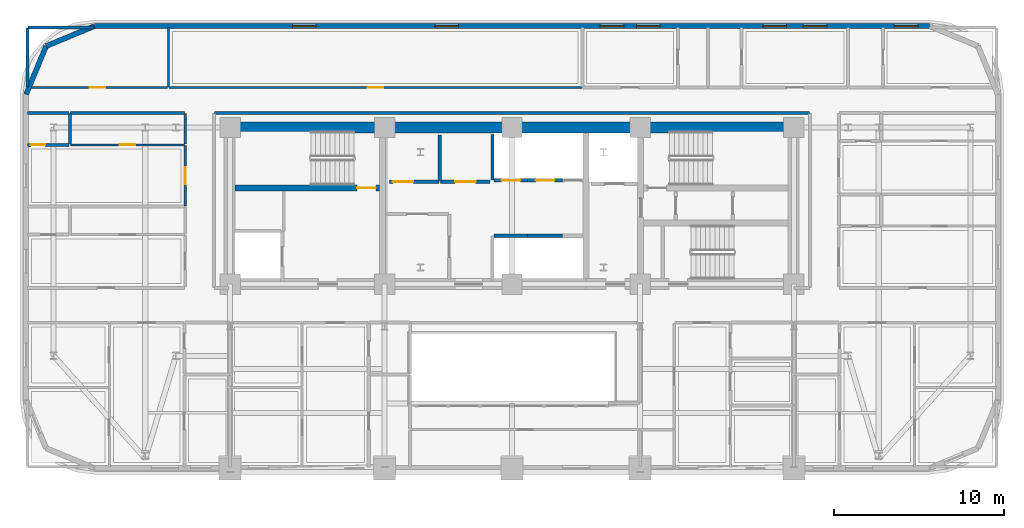
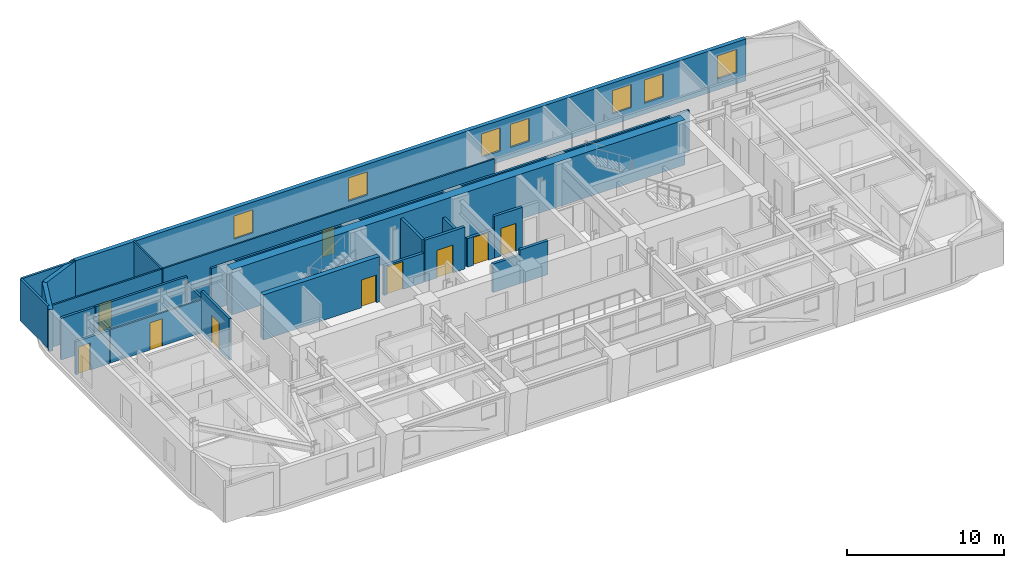
# One storey, part 10 of 16: 26 walls, 10 doors, 7 windows, 17 openings.
"""IFC4 building model written with IfcOpenShell, lengths in metres."""

from ifc_helpers import new_model, si_unit, direction, frame, frame_2d, origin, place, context, subcontext, project, spatial, rectangle, extrude, material, layer, layer_set, type_object, element, fill, save


model = new_model("IFC4")

# Units and contexts
model_context = context("Model", 3, precision=1e-05, world=origin(), true_north=direction((0.0, 1.0)))
body_context = subcontext(model_context, "Body", "Model", "MODEL_VIEW")
ifc_project = project(units=[si_unit("LENGTHUNIT", "METRE"), si_unit("AREAUNIT", "SQUARE_METRE"), si_unit("VOLUMEUNIT", "CUBIC_METRE"), si_unit("PLANEANGLEUNIT", "RADIAN"), si_unit("MASSUNIT", "GRAM", prefix="KILO")], contexts=[model_context])

# Site, building, storey
site_placement = place(None, origin())
site = spatial("IfcSite", under=ifc_project, at=site_placement, CompositionType="ELEMENT")
building_placement = place(site_placement, origin())
building = spatial("IfcBuilding", under=site, at=building_placement, Name="Zarnavel Station Tower", CompositionType="ELEMENT")
storey_placement = place(building_placement, frame((0.0, 0.0, 101.300048828125)))
storey = spatial("IfcBuildingStorey", under=building, at=storey_placement, Name="L27", CompositionType="ELEMENT", Elevation=101.300048828125)

# Wall, opening, door
ifc_material_1 = material(Name="Concrete C50/60", Category="concrete")
ifc_layer_1 = layer(ifc_material_1, 0.35009765625)
ifc_layer_set_1 = layer_set([ifc_layer_1], Name="CW_350")
wall_type_1 = type_object("IfcWallType", Name="CW_350", PredefinedType="SHEAR", material=ifc_layer_set_1)
wall_1_placement = place(storey_placement, frame((21.0048828125, 33.47998046875, 0.0), z_axis=(0.0, 0.0, 1.0), x_axis=(-1.0, 0.0, 0.0)))
wall_1 = element("IfcWall", 1, at=wall_1_placement, inside=storey, type_object=wall_type_1, Name="L27 Rear Core Shear Wall DIV-H1", PredefinedType="SHEAR", context=body_context, shape_type="SweptSolid", body=[
    extrude(rectangle(XDim=8.52978515625, YDim=0.35009765625, at=frame_2d((4.264892578125, 0.0))), origin(), (0.0, 0.0, 1.0), 3.5),
])
opening_1_placement = place(wall_1_placement, frame((0.219970703125, 0.0, 0.0)))
opening_1 = element("IfcOpeningElement", 2, at=opening_1_placement, cuts=wall_1, Name="Opening FD01", PredefinedType="OPENING", context=body_context, shape_type="SweptSolid", body=[
    extrude(rectangle(XDim=1.10009765625, YDim=2.14990234375, at=frame_2d((0.550048828125, 1.074951171875))), frame((0.0, 0.18505859375, 0.0), z_axis=(0.0, -1.0, 0.0), x_axis=(1.0, 0.0, 0.0)), (0.0, 0.0, 1.0), 0.3701171875),
])
ifc_material_2 = material(Name="Painted Galvanised Steel and Hardwood Leaf", Category="steel")
door_type_1 = type_object("IfcDoorType", Name="ID_STAIR_1100", OperationType="NOTDEFINED", PredefinedType="DOOR", material=ifc_material_2)
door_1_placement = place(opening_1_placement, origin())
door_1 = element("IfcDoor", 3, at=door_1_placement, inside=storey, type_object=door_type_1, Name="L27 Stair ST1 Lobby Fire Door", OperationType="SINGLE_SWING_LEFT", OverallHeight=2.14990234375, OverallWidth=1.10009765625, PredefinedType="DOOR", context=body_context, shape_type="SweptSolid", body=[
    extrude(rectangle(XDim=1.10009765625, YDim=2.14990234375, at=frame_2d((0.550048828125, 1.074951171875))), frame((0.0, 0.02490234375, 0.0), z_axis=(0.0, -1.0, 0.0), x_axis=(1.0, 0.0, 0.0)), (0.0, 0.0, 1.0), 0.050048828125),
])
fill(opening_1, door_1)

# Wall
ifc_material_3 = material(Name="Concrete C60/75", Category="concrete")
ifc_layer_2 = layer(ifc_material_3, 0.64990234375)
ifc_layer_set_2 = layer_set([ifc_layer_2], Name="CW_650")
wall_type_2 = type_object("IfcWallType", Name="CW_650", PredefinedType="SHEAR", material=ifc_layer_set_2)
wall_2_placement = place(storey_placement, frame((12.14990234375, 37.050048828125, 0.0), z_axis=(0.0, 0.0, 1.0), x_axis=(1.0, 0.0, 0.0)))
element("IfcWall", 4, at=wall_2_placement, inside=storey, type_object=wall_type_2, Name="L27 Rear Core Shear Wall N", PredefinedType="SHEAR", context=body_context, shape_type="SweptSolid", body=[
    extrude(rectangle(XDim=33.22998046875, YDim=0.64990234375, at=frame_2d((16.614990234375, 0.0))), origin(), (0.0, 0.0, 1.0), 3.5),
])

# Wall, openings, windows
ifc_material_4 = material(Name="Precast concrete C45/55 (Dark Basalt Finish)", Category="masonry")
ifc_layer_3 = layer(ifc_material_4, 0.300048828125)
ifc_layer_set_3 = layer_set([ifc_layer_3], Name="EW_BASALT_300")
wall_type_3 = type_object("IfcWallType", Name="EW_BASALT_300", PredefinedType="SOLIDWALL", material=ifc_layer_set_3)
wall_3_placement = place(storey_placement, frame((4.199951171875, 43.02001953125, 0.0), z_axis=(0.0, 0.0, 1.0), x_axis=(1.0, 0.0, 0.0)))
wall_3 = element("IfcWall", 5, at=wall_3_placement, inside=storey, type_object=wall_type_3, Name="L27 Exterior Basalt Masonry Frame Wall 06", PredefinedType="SOLIDWALL", context=body_context, shape_type="SweptSolid", body=[
    extrude(rectangle(XDim=49.199951171875, YDim=0.300048828125, at=frame_2d((24.60009765625, 0.0))), origin(), (0.0, 0.0, 1.0), 3.239990234375),
])
opening_2_placement = place(wall_3_placement, frame((11.65673828125, 0.0, 0.85009765625)))
opening_2 = element("IfcOpeningElement", 6, at=opening_2_placement, cuts=wall_3, Name="Opening WN01", PredefinedType="OPENING", context=body_context, shape_type="SweptSolid", body=[
    extrude(rectangle(XDim=1.39990234375, YDim=1.800048828125, at=frame_2d((0.699951171875, 0.89990234375))), frame((0.0, 0.159912109375, 0.0), z_axis=(0.0, -1.0, 0.0), x_axis=(1.0, 0.0, 0.0)), (0.0, 0.0, 1.0), 0.320068359375),
])
opening_3_placement = place(wall_3_placement, frame((20.05322265625, 0.0, 0.85009765625)))
opening_3 = element("IfcOpeningElement", 7, at=opening_3_placement, cuts=wall_3, Name="Opening WN01", PredefinedType="OPENING", context=body_context, shape_type="SweptSolid", body=[
    extrude(rectangle(XDim=1.39990234375, YDim=1.800048828125, at=frame_2d((0.699951171875, 0.89990234375))), frame((0.0, 0.159912109375, 0.0), z_axis=(0.0, -1.0, 0.0), x_axis=(1.0, 0.0, 0.0)), (0.0, 0.0, 1.0), 0.320068359375),
])
opening_4_placement = place(wall_3_placement, frame((29.7890625, 0.0, 0.85009765625)))
opening_4 = element("IfcOpeningElement", 8, at=opening_4_placement, cuts=wall_3, Name="Opening WN01", PredefinedType="OPENING", context=body_context, shape_type="SweptSolid", body=[
    extrude(rectangle(XDim=1.39990234375, YDim=1.800048828125, at=frame_2d((0.699951171875, 0.89990234375))), frame((0.0, 0.159912109375, 0.0), z_axis=(0.0, -1.0, 0.0), x_axis=(1.0, 0.0, 0.0)), (0.0, 0.0, 1.0), 0.320068359375),
])
opening_5_placement = place(wall_3_placement, frame((31.927978515625, 0.0, 0.85009765625)))
opening_5 = element("IfcOpeningElement", 9, at=opening_5_placement, cuts=wall_3, Name="Opening WN01", PredefinedType="OPENING", context=body_context, shape_type="SweptSolid", body=[
    extrude(rectangle(XDim=1.39990234375, YDim=1.800048828125, at=frame_2d((0.699951171875, 0.89990234375))), frame((0.0, 0.159912109375, 0.0), z_axis=(0.0, -1.0, 0.0), x_axis=(1.0, 0.0, 0.0)), (0.0, 0.0, 1.0), 0.320068359375),
])
opening_6_placement = place(wall_3_placement, frame((39.382080078125, 0.0, 0.85009765625)))
opening_6 = element("IfcOpeningElement", 10, at=opening_6_placement, cuts=wall_3, Name="Opening WN01", PredefinedType="OPENING", context=body_context, shape_type="SweptSolid", body=[
    extrude(rectangle(XDim=1.39990234375, YDim=1.800048828125, at=frame_2d((0.699951171875, 0.89990234375))), frame((0.0, 0.159912109375, 0.0), z_axis=(0.0, -1.0, 0.0), x_axis=(1.0, 0.0, 0.0)), (0.0, 0.0, 1.0), 0.320068359375),
])
opening_7_placement = place(wall_3_placement, frame((41.740966796875, 0.0, 0.85009765625)))
opening_7 = element("IfcOpeningElement", 11, at=opening_7_placement, cuts=wall_3, Name="Opening WN01", PredefinedType="OPENING", context=body_context, shape_type="SweptSolid", body=[
    extrude(rectangle(XDim=1.39990234375, YDim=1.800048828125, at=frame_2d((0.699951171875, 0.89990234375))), frame((0.0, 0.159912109375, 0.0), z_axis=(0.0, -1.0, 0.0), x_axis=(1.0, 0.0, 0.0)), (0.0, 0.0, 1.0), 0.320068359375),
])
opening_8_placement = place(wall_3_placement, frame((47.114990234375, 0.0, 0.85009765625)))
opening_8 = element("IfcOpeningElement", 12, at=opening_8_placement, cuts=wall_3, Name="Opening WN01", PredefinedType="OPENING", context=body_context, shape_type="SweptSolid", body=[
    extrude(rectangle(XDim=1.39990234375, YDim=1.800048828125, at=frame_2d((0.699951171875, 0.89990234375))), frame((0.0, 0.159912109375, 0.0), z_axis=(0.0, -1.0, 0.0), x_axis=(1.0, 0.0, 0.0)), (0.0, 0.0, 1.0), 0.320068359375),
])
ifc_material_5 = material(Name="Thermally Broken Black Aluminium and Low-E Dark Glass", Category="aluminium")
window_type = type_object("IfcWindowType", Name="WN_1400x1800", PartitioningType="DOUBLE_PANEL_VERTICAL", PredefinedType="WINDOW", material=ifc_material_5)
window_1_placement = place(opening_2_placement, origin())
window_1 = element("IfcWindow", 13, at=window_1_placement, inside=storey, type_object=window_type, Name="L27 Recessed Facade Window 01", OverallHeight=1.800048828125, OverallWidth=1.39990234375, PartitioningType="SINGLE_PANEL", PredefinedType="WINDOW", context=body_context, shape_type="SweptSolid", body=[
    extrude(rectangle(XDim=1.39990234375, YDim=1.800048828125, at=frame_2d((0.699951171875, 0.89990234375))), frame((0.0, 0.030029296875, 0.0), z_axis=(0.0, -1.0, 0.0), x_axis=(1.0, 0.0, 0.0)), (0.0, 0.0, 1.0), 0.06005859375),
])
fill(opening_2, window_1)
window_2_placement = place(opening_3_placement, origin())
window_2 = element("IfcWindow", 14, at=window_2_placement, inside=storey, type_object=window_type, Name="L27 Recessed Facade Window 02", OverallHeight=1.800048828125, OverallWidth=1.39990234375, PartitioningType="SINGLE_PANEL", PredefinedType="WINDOW", context=body_context, shape_type="SweptSolid", body=[
    extrude(rectangle(XDim=1.39990234375, YDim=1.800048828125, at=frame_2d((0.699951171875, 0.89990234375))), frame((0.0, 0.030029296875, 0.0), z_axis=(0.0, -1.0, 0.0), x_axis=(1.0, 0.0, 0.0)), (0.0, 0.0, 1.0), 0.06005859375),
])
fill(opening_3, window_2)
window_3_placement = place(opening_4_placement, origin())
window_3 = element("IfcWindow", 15, at=window_3_placement, inside=storey, type_object=window_type, Name="L27 Recessed Facade Window 03", OverallHeight=1.800048828125, OverallWidth=1.39990234375, PartitioningType="SINGLE_PANEL", PredefinedType="WINDOW", context=body_context, shape_type="SweptSolid", body=[
    extrude(rectangle(XDim=1.39990234375, YDim=1.800048828125, at=frame_2d((0.699951171875, 0.89990234375))), frame((0.0, 0.030029296875, 0.0), z_axis=(0.0, -1.0, 0.0), x_axis=(1.0, 0.0, 0.0)), (0.0, 0.0, 1.0), 0.06005859375),
])
fill(opening_4, window_3)
window_4_placement = place(opening_5_placement, origin())
window_4 = element("IfcWindow", 16, at=window_4_placement, inside=storey, type_object=window_type, Name="L27 Recessed Facade Window 04", OverallHeight=1.800048828125, OverallWidth=1.39990234375, PartitioningType="SINGLE_PANEL", PredefinedType="WINDOW", context=body_context, shape_type="SweptSolid", body=[
    extrude(rectangle(XDim=1.39990234375, YDim=1.800048828125, at=frame_2d((0.699951171875, 0.89990234375))), frame((0.0, 0.030029296875, 0.0), z_axis=(0.0, -1.0, 0.0), x_axis=(1.0, 0.0, 0.0)), (0.0, 0.0, 1.0), 0.06005859375),
])
fill(opening_5, window_4)
window_5_placement = place(opening_6_placement, origin())
window_5 = element("IfcWindow", 17, at=window_5_placement, inside=storey, type_object=window_type, Name="L27 Recessed Facade Window 05", OverallHeight=1.800048828125, OverallWidth=1.39990234375, PartitioningType="SINGLE_PANEL", PredefinedType="WINDOW", context=body_context, shape_type="SweptSolid", body=[
    extrude(rectangle(XDim=1.39990234375, YDim=1.800048828125, at=frame_2d((0.699951171875, 0.89990234375))), frame((0.0, 0.030029296875, 0.0), z_axis=(0.0, -1.0, 0.0), x_axis=(1.0, 0.0, 0.0)), (0.0, 0.0, 1.0), 0.06005859375),
])
fill(opening_6, window_5)
window_6_placement = place(opening_7_placement, origin())
window_6 = element("IfcWindow", 18, at=window_6_placement, inside=storey, type_object=window_type, Name="L27 Recessed Facade Window 06", OverallHeight=1.800048828125, OverallWidth=1.39990234375, PartitioningType="SINGLE_PANEL", PredefinedType="WINDOW", context=body_context, shape_type="SweptSolid", body=[
    extrude(rectangle(XDim=1.39990234375, YDim=1.800048828125, at=frame_2d((0.699951171875, 0.89990234375))), frame((0.0, 0.030029296875, 0.0), z_axis=(0.0, -1.0, 0.0), x_axis=(1.0, 0.0, 0.0)), (0.0, 0.0, 1.0), 0.06005859375),
])
fill(opening_7, window_6)
window_7_placement = place(opening_8_placement, origin())
window_7 = element("IfcWindow", 19, at=window_7_placement, inside=storey, type_object=window_type, Name="L27 Recessed Facade Window 07", OverallHeight=1.800048828125, OverallWidth=1.39990234375, PartitioningType="SINGLE_PANEL", PredefinedType="WINDOW", context=body_context, shape_type="SweptSolid", body=[
    extrude(rectangle(XDim=1.39990234375, YDim=1.800048828125, at=frame_2d((0.699951171875, 0.89990234375))), frame((0.0, 0.030029296875, 0.0), z_axis=(0.0, -1.0, 0.0), x_axis=(1.0, 0.0, 0.0)), (0.0, 0.0, 1.0), 0.06005859375),
])
fill(opening_8, window_7)

# Walls
for number, where, z_axis, x_axis, name in (
    (20, (1.357421875, 41.842529296875, 0.0), (0.0, 0.0, 1.0), (0.923870793506, 0.382704529509, 0.0), "L27 Exterior Basalt Masonry Frame Wall 07"),
    (21, (0.179931640625, 39.0, 0.0), (0.0, 0.0, 1.0), (0.382704529509, 0.923870793506, 0.0), "L27 Exterior Basalt Masonry Frame Wall 08"),
):
    element("IfcWall", number, at=place(storey_placement, frame(where, z_axis=z_axis, x_axis=x_axis)), inside=storey, type_object=wall_type_3, Name=name, PredefinedType="SOLIDWALL", context=body_context, shape_type="SweptSolid", body=[
        extrude(rectangle(XDim=3.07666015625, YDim=0.300048828125, at=frame_2d((1.538330078125, 0.0))), origin(), (0.0, 0.0, 1.0), 3.239990234375),
    ])

# Wall, opening, door
ifc_material_6 = material(Name="Gypsum Twin-Stud Acoustic Fire Partition", Category="concrete")
ifc_layer_4 = layer(ifc_material_6, 0.159912109375)
ifc_layer_set_4 = layer_set([ifc_layer_4], Name="PT_DEMISE_160")
wall_type_4 = type_object("IfcWallType", Name="PT_DEMISE_160", PredefinedType="PARTITIONING", material=ifc_layer_set_4)
wall_4_placement = place(storey_placement, frame((9.550048828125, 32.430908203125, 0.0), z_axis=(0.0, 0.0, 1.0), x_axis=(0.0, 1.0, 0.0)))
wall_4 = element("IfcWall", 22, at=wall_4_placement, inside=storey, type_object=wall_type_4, Name="L27 Partition COR-W-FNW2R", PredefinedType="PARTITIONING", context=body_context, shape_type="SweptSolid", body=[
    extrude(rectangle(XDim=3.55615234375, YDim=0.159912109375, at=frame_2d((1.778076171875, 0.0))), origin(), (0.0, 0.0, 1.0), 3.239990234375),
])
opening_9_placement = place(wall_4_placement, frame((1.278076171875, 0.0, 0.0)))
opening_9 = element("IfcOpeningElement", 23, at=opening_9_placement, cuts=wall_4, Name="Opening FD02", PredefinedType="OPENING", context=body_context, shape_type="SweptSolid", body=[
    extrude(rectangle(XDim=1.0, YDim=2.14990234375, at=frame_2d((0.5, 1.074951171875))), frame((0.0, 0.08984375, 0.0), z_axis=(0.0, -1.0, 0.0), x_axis=(1.0, 0.0, 0.0)), (0.0, 0.0, 1.0), 0.179931640625),
])
ifc_material_7 = material(Name="Painted Galvanised Steel and Hardwood Leaf", Category="steel")
door_type_2 = type_object("IfcDoorType", Name="ID_ENTRY_1000", OperationType="NOTDEFINED", PredefinedType="DOOR", material=ifc_material_7)
door_2_placement = place(opening_9_placement, origin())
door_2 = element("IfcDoor", 24, at=door_2_placement, inside=storey, type_object=door_type_2, Name="L27 Door COR-W-FNW2R", OperationType="SINGLE_SWING_RIGHT", OverallHeight=2.14990234375, OverallWidth=1.0, PredefinedType="DOOR", context=body_context, shape_type="SweptSolid", body=[
    extrude(rectangle(XDim=1.0, YDim=2.14990234375, at=frame_2d((0.5, 1.074951171875))), frame((0.0, 0.02490234375, 0.0), z_axis=(0.0, -1.0, 0.0), x_axis=(1.0, 0.0, 0.0)), (0.0, 0.0, 1.0), 0.050048828125),
])
fill(opening_9, door_2)

# Walls
wall_5_placement = place(storey_placement, frame((9.550048828125, 36.06689453125, 0.0), z_axis=(0.0, 0.0, 1.0), x_axis=(0.0, 1.0, 0.0)))
element("IfcWall", 25, at=wall_5_placement, inside=storey, type_object=wall_type_4, Name="L27 Partition COR-W-FNW2S", PredefinedType="PARTITIONING", context=body_context, shape_type="SweptSolid", body=[
    extrude(rectangle(XDim=1.793212890625, YDim=0.159912109375, at=frame_2d((0.896484375, 0.0))), origin(), (0.0, 0.0, 1.0), 2.719970703125),
])
wall_6_placement = place(storey_placement, frame((2.800048828125, 37.89990234375, 0.0), z_axis=(0.0, 0.0, 1.0), x_axis=(1.0, 0.0, 0.0)))
element("IfcWall", 26, at=wall_6_placement, inside=storey, type_object=wall_type_4, Name="L27 Partition COR-N-FNW2S", PredefinedType="PARTITIONING", context=body_context, shape_type="SweptSolid", body=[
    extrude(rectangle(XDim=6.7099609375, YDim=0.159912109375, at=frame_2d((3.35498046875, 0.0))), origin(), (0.0, 0.0, 1.0), 3.239990234375),
])
wall_7_placement = place(storey_placement, frame((11.280029296875, 37.89990234375, 0.0), z_axis=(0.0, 0.0, 1.0), x_axis=(1.0, 0.0, 0.0)))
element("IfcWall", 27, at=wall_7_placement, inside=storey, type_object=wall_type_4, Name="L27 Enclosure Wall COR-N", PredefinedType="PARTITIONING", context=body_context, shape_type="SweptSolid", body=[
    extrude(rectangle(XDim=35.0400390625, YDim=0.159912109375, at=frame_2d((17.52001953125, 0.0))), origin(), (0.0, 0.0, 1.0), 3.239990234375),
])
wall_8_placement = place(storey_placement, frame((0.2900390625, 42.93994140625, 0.0), z_axis=(0.0, 0.0, 1.0), x_axis=(1.0, 0.0, 0.0)))
element("IfcWall", 28, at=wall_8_placement, inside=storey, type_object=wall_type_4, Name="L27 Enclosure Wall HSKP", PredefinedType="PARTITIONING", context=body_context, shape_type="SweptSolid", body=[
    extrude(rectangle(XDim=3.8798828125, YDim=0.159912109375, at=frame_2d((1.93994140625, 0.0))), origin(), (0.0, 0.0, 1.0), 3.239990234375),
])
wall_9_placement = place(storey_placement, frame((0.260009765625, 39.429931640625, 0.0), z_axis=(0.0, 0.0, 1.0), x_axis=(0.0, 1.0, 0.0)))
element("IfcWall", 29, at=wall_9_placement, inside=storey, type_object=wall_type_4, Name="L27 Enclosure Wall HSKP", PredefinedType="PARTITIONING", context=body_context, shape_type="SweptSolid", body=[
    extrude(rectangle(XDim=3.47998046875, YDim=0.159912109375, at=frame_2d((1.739990234375, 0.0))), origin(), (0.0, 0.0, 1.0), 3.239990234375),
])

# Wall, opening, door
ifc_material_8 = material(Name="Gypsum Metal-Stud Interior Partition", Category="concrete")
ifc_layer_5 = layer(ifc_material_8, 0.1201171875)
ifc_layer_set_5 = layer_set([ifc_layer_5], Name="PT_ROOM_120")
wall_type_5 = type_object("IfcWallType", Name="PT_ROOM_120", PredefinedType="PARTITIONING", material=ifc_layer_set_5)
wall_10_placement = place(storey_placement, frame((0.260009765625, 39.39990234375, 0.0), z_axis=(0.0, 0.0, 1.0), x_axis=(1.0, 0.0, 0.0)))
wall_10 = element("IfcWall", 30, at=wall_10_placement, inside=storey, type_object=wall_type_5, Name="L27 Partition COR-N-HSKP", PredefinedType="PARTITIONING", context=body_context, shape_type="SweptSolid", body=[
    extrude(rectangle(XDim=8.260009765625, YDim=0.1201171875, at=frame_2d((4.1298828125, 0.0))), origin(), (0.0, 0.0, 1.0), 3.239990234375),
])
opening_10_placement = place(wall_10_placement, frame((3.679931640625, 0.0, 0.0)))
opening_10 = element("IfcOpeningElement", 31, at=opening_10_placement, cuts=wall_10, Name="Opening ID01", PredefinedType="OPENING", context=body_context, shape_type="SweptSolid", body=[
    extrude(rectangle(XDim=0.89990234375, YDim=2.10009765625, at=frame_2d((0.449951171875, 1.050048828125))), frame((0.0, 0.070068359375, 0.0), z_axis=(0.0, -1.0, 0.0), x_axis=(1.0, 0.0, 0.0)), (0.0, 0.0, 1.0), 0.14013671875),
])
ifc_material_9 = material(Name="Painted Galvanised Steel and Hardwood Leaf", Category="steel")
door_type_3 = type_object("IfcDoorType", Name="ID_ROOM_900", OperationType="NOTDEFINED", PredefinedType="DOOR", material=ifc_material_9)
door_3_placement = place(opening_10_placement, origin())
door_3 = element("IfcDoor", 32, at=door_3_placement, inside=storey, type_object=door_type_3, Name="L27 Door COR-N-HSKP", OperationType="SINGLE_SWING_LEFT", OverallHeight=2.10009765625, OverallWidth=0.89990234375, PredefinedType="DOOR", context=body_context, shape_type="SweptSolid", body=[
    extrude(rectangle(XDim=0.89990234375, YDim=2.10009765625, at=frame_2d((0.449951171875, 1.050048828125))), frame((0.0, 0.02490234375, 0.0), z_axis=(0.0, -1.0, 0.0), x_axis=(1.0, 0.0, 0.0)), (0.0, 0.0, 1.0), 0.050048828125),
])
fill(opening_10, door_3)

wall_11_placement = place(storey_placement, frame((8.60009765625, 39.39990234375, 0.0), z_axis=(0.0, 0.0, 1.0), x_axis=(1.0, 0.0, 0.0)))
wall_11 = element("IfcWall", 33, at=wall_11_placement, inside=storey, type_object=wall_type_5, Name="L27 Partition COR-N-NCLB", PredefinedType="PARTITIONING", context=body_context, shape_type="SweptSolid", body=[
    extrude(rectangle(XDim=24.309814453125, YDim=0.1201171875, at=frame_2d((12.15478515625, 0.0))), origin(), (0.0, 0.0, 1.0), 3.239990234375),
])
opening_11_placement = place(wall_11_placement, frame((11.705078125, 0.0, 0.0)))
opening_11 = element("IfcOpeningElement", 34, at=opening_11_placement, cuts=wall_11, Name="Opening ID01", PredefinedType="OPENING", context=body_context, shape_type="SweptSolid", body=[
    extrude(rectangle(XDim=0.89990234375, YDim=2.10009765625, at=frame_2d((0.449951171875, 1.050048828125))), frame((0.0, 0.070068359375, 0.0), z_axis=(0.0, -1.0, 0.0), x_axis=(1.0, 0.0, 0.0)), (0.0, 0.0, 1.0), 0.14013671875),
])
door_4_placement = place(opening_11_placement, origin())
door_4 = element("IfcDoor", 35, at=door_4_placement, inside=storey, type_object=door_type_3, Name="L27 Door COR-N-NCLB", OperationType="SINGLE_SWING_RIGHT", OverallHeight=2.10009765625, OverallWidth=0.89990234375, PredefinedType="DOOR", context=body_context, shape_type="SweptSolid", body=[
    extrude(rectangle(XDim=0.89990234375, YDim=2.10009765625, at=frame_2d((0.449951171875, 1.050048828125))), frame((0.0, 0.02490234375, 0.0), z_axis=(0.0, -1.0, 0.0), x_axis=(1.0, 0.0, 0.0)), (0.0, 0.0, 1.0), 0.050048828125),
])
fill(opening_11, door_4)

wall_12_placement = place(storey_placement, frame((2.800048828125, 36.027099609375, 0.0), z_axis=(0.0, 0.0, 1.0), x_axis=(1.0, 0.0, 0.0)))
wall_12 = element("IfcWall", 36, at=wall_12_placement, inside=storey, type_object=wall_type_5, Name="L27 Partition FNW2R-FNW2S", PredefinedType="PARTITIONING", context=body_context, shape_type="SweptSolid", body=[
    extrude(rectangle(XDim=6.7099609375, YDim=0.1201171875, at=frame_2d((3.35498046875, 0.0))), origin(), (0.0, 0.0, 1.0), 2.570068359375),
])
opening_12_placement = place(wall_12_placement, frame((2.905029296875, 0.0, 0.0)))
opening_12 = element("IfcOpeningElement", 37, at=opening_12_placement, cuts=wall_12, Name="Opening ID01", PredefinedType="OPENING", context=body_context, shape_type="SweptSolid", body=[
    extrude(rectangle(XDim=0.89990234375, YDim=2.10009765625, at=frame_2d((0.449951171875, 1.050048828125))), frame((0.0, 0.070068359375, 0.0), z_axis=(0.0, -1.0, 0.0), x_axis=(1.0, 0.0, 0.0)), (0.0, 0.0, 1.0), 0.14013671875),
])
door_5_placement = place(opening_12_placement, origin())
door_5 = element("IfcDoor", 38, at=door_5_placement, inside=storey, type_object=door_type_3, Name="L27 Door FNW2R-FNW2S", OperationType="SINGLE_SWING_LEFT", OverallHeight=2.10009765625, OverallWidth=0.89990234375, PredefinedType="DOOR", context=body_context, shape_type="SweptSolid", body=[
    extrude(rectangle(XDim=0.89990234375, YDim=2.10009765625, at=frame_2d((0.449951171875, 1.050048828125))), frame((0.0, 0.02490234375, 0.0), z_axis=(0.0, -1.0, 0.0), x_axis=(1.0, 0.0, 0.0)), (0.0, 0.0, 1.0), 0.050048828125),
])
fill(opening_12, door_5)

# Walls
wall_13_placement = place(storey_placement, frame((8.56005859375, 39.43994140625, 0.0), z_axis=(0.0, 0.0, 1.0), x_axis=(0.0, 1.0, 0.0)))
element("IfcWall", 39, at=wall_13_placement, inside=storey, type_object=wall_type_5, Name="L27 Partition HSKP-NCLB", PredefinedType="PARTITIONING", context=body_context, shape_type="SweptSolid", body=[
    extrude(rectangle(XDim=3.5, YDim=0.1201171875, at=frame_2d((1.75, 0.0))), origin(), (0.0, 0.0, 1.0), 3.239990234375),
])
ifc_material_10 = material(Name="Precast concrete C45/55 (Fire Shaft Blockwork)", Category="masonry")
ifc_layer_6 = layer(ifc_material_10, 0.199951171875)
ifc_layer_set_6 = layer_set([ifc_layer_6], Name="PT_SHAFT_200")
wall_type_6 = type_object("IfcWallType", Name="PT_SHAFT_200", PredefinedType="PARTITIONING", material=ifc_layer_set_6)
wall_14_placement = place(storey_placement, frame((27.75, 30.669921875, 0.0), z_axis=(0.0, 0.0, 1.0), x_axis=(1.0, 0.0, 0.0)))
element("IfcWall", 40, at=wall_14_placement, inside=storey, type_object=wall_type_6, Name="L27 Lift PL-H1 Shaft Front Wall", PredefinedType="PARTITIONING", context=body_context, shape_type="SweptSolid", body=[
    extrude(rectangle(XDim=1.97509765625, YDim=0.199951171875, at=frame_2d((0.987548828125, 0.0))), origin(), (0.0, 0.0, 1.0), 2.2119140625),
])
wall_15_placement = place(storey_placement, frame((29.72509765625, 30.669921875, 0.0), z_axis=(0.0, 0.0, 1.0), x_axis=(1.0, 0.0, 0.0)))
element("IfcWall", 41, at=wall_15_placement, inside=storey, type_object=wall_type_6, Name="L27 Lift PL-H2 Shaft Front Wall", PredefinedType="PARTITIONING", context=body_context, shape_type="SweptSolid", body=[
    extrude(rectangle(XDim=2.0498046875, YDim=0.199951171875, at=frame_2d((1.02490234375, 0.0))), origin(), (0.0, 0.0, 1.0), 2.619873046875),
])

# Wall, opening, door
wall_16_placement = place(storey_placement, frame((27.75, 33.929931640625, 0.0), z_axis=(0.0, 0.0, 1.0), x_axis=(1.0, 0.0, 0.0)))
wall_16 = element("IfcWall", 42, at=wall_16_placement, inside=storey, type_object=wall_type_6, Name="L27 Lift PL-M1 Shaft Front Wall", PredefinedType="PARTITIONING", context=body_context, shape_type="SweptSolid", body=[
    extrude(rectangle(XDim=1.97509765625, YDim=0.199951171875, at=frame_2d((0.987548828125, 0.0))), origin(), (0.0, 0.0, 1.0), 2.2119140625),
])
opening_13_placement = place(wall_16_placement, frame((0.4375, 0.0, 0.0)))
opening_13 = element("IfcOpeningElement", 43, at=opening_13_placement, cuts=wall_16, Name="Opening LD02", PredefinedType="OPENING", context=body_context, shape_type="SweptSolid", body=[
    extrude(rectangle(XDim=1.10009765625, YDim=2.14990234375, at=frame_2d((0.550048828125, 1.074951171875))), frame((0.0, 0.10986328125, 0.0), z_axis=(0.0, -1.0, 0.0), x_axis=(1.0, 0.0, 0.0)), (0.0, 0.0, 1.0), 0.219970703125),
])
ifc_material_11 = material(Name="Painted Galvanised Steel and Hardwood Leaf", Category="steel")
door_type_4 = type_object("IfcDoorType", Name="LD_PAX_1100", OperationType="DOUBLE_DOOR_SLIDING", PredefinedType="DOOR", material=ifc_material_11)
door_6_placement = place(opening_13_placement, origin())
door_6 = element("IfcDoor", 44, at=door_6_placement, inside=storey, type_object=door_type_4, Name="L27 Lift PL-M1 Sliding Landing Door", OperationType="DOUBLE_DOOR_SLIDING", OverallHeight=2.14990234375, OverallWidth=1.10009765625, PredefinedType="DOOR", context=body_context, shape_type="SweptSolid", body=[
    extrude(rectangle(XDim=1.10009765625, YDim=2.14990234375, at=frame_2d((0.550048828125, 1.074951171875))), frame((0.0, 0.02490234375, 0.0), z_axis=(0.0, -1.0, 0.0), x_axis=(1.0, 0.0, 0.0)), (0.0, 0.0, 1.0), 0.050048828125),
])
fill(opening_13, door_6)

# Wall
wall_17_placement = place(storey_placement, frame((27.64990234375, 33.949951171875, 0.0), z_axis=(0.0, 0.0, 1.0), x_axis=(0.0, 1.0, 0.0)))
element("IfcWall", 45, at=wall_17_placement, inside=storey, type_object=wall_type_6, Name="L27 Mid-Rise Lift Bank West Shaft Wall", PredefinedType="PARTITIONING", context=body_context, shape_type="SweptSolid", body=[
    extrude(rectangle(XDim=2.679931640625, YDim=0.199951171875, at=frame_2d((1.33984375, 0.0))), origin(), (0.0, 0.0, 1.0), 2.2119140625),
])

# Wall, opening, door
wall_18_placement = place(storey_placement, frame((29.72509765625, 33.929931640625, 0.0), z_axis=(0.0, 0.0, 1.0), x_axis=(1.0, 0.0, 0.0)))
wall_18 = element("IfcWall", 46, at=wall_18_placement, inside=storey, type_object=wall_type_6, Name="L27 Lift PL-M2 Shaft Front Wall", PredefinedType="PARTITIONING", context=body_context, shape_type="SweptSolid", body=[
    extrude(rectangle(XDim=2.0498046875, YDim=0.199951171875, at=frame_2d((1.02490234375, 0.0))), origin(), (0.0, 0.0, 1.0), 3.239990234375),
])
opening_14_placement = place(wall_18_placement, frame((0.47509765625, 0.0, 0.0)))
opening_14 = element("IfcOpeningElement", 47, at=opening_14_placement, cuts=wall_18, Name="Opening LD02", PredefinedType="OPENING", context=body_context, shape_type="SweptSolid", body=[
    extrude(rectangle(XDim=1.10009765625, YDim=2.14990234375, at=frame_2d((0.550048828125, 1.074951171875))), frame((0.0, 0.10986328125, 0.0), z_axis=(0.0, -1.0, 0.0), x_axis=(1.0, 0.0, 0.0)), (0.0, 0.0, 1.0), 0.219970703125),
])
door_7_placement = place(opening_14_placement, origin())
door_7 = element("IfcDoor", 48, at=door_7_placement, inside=storey, type_object=door_type_4, Name="L27 Lift PL-M2 Sliding Landing Door", OperationType="DOUBLE_DOOR_SLIDING", OverallHeight=2.14990234375, OverallWidth=1.10009765625, PredefinedType="DOOR", context=body_context, shape_type="SweptSolid", body=[
    extrude(rectangle(XDim=1.10009765625, YDim=2.14990234375, at=frame_2d((0.550048828125, 1.074951171875))), frame((0.0, 0.02490234375, 0.0), z_axis=(0.0, -1.0, 0.0), x_axis=(1.0, 0.0, 0.0)), (0.0, 0.0, 1.0), 0.050048828125),
])
fill(opening_14, door_7)

wall_19_placement = place(storey_placement, frame((21.590087890625, 33.85009765625, 0.0), z_axis=(0.0, 0.0, 1.0), x_axis=(1.0, 0.0, 0.0)))
wall_19 = element("IfcWall", 49, at=wall_19_placement, inside=storey, type_object=wall_type_6, Name="L27 Partition LLOB-FB1A", PredefinedType="PARTITIONING", context=body_context, shape_type="SweptSolid", body=[
    extrude(rectangle(XDim=2.919921875, YDim=0.199951171875, at=frame_2d((1.4599609375, 0.0))), origin(), (0.0, 0.0, 1.0), 2.280029296875),
])
opening_15_placement = place(wall_19_placement, frame((0.199951171875, 0.0, 0.0)))
opening_15 = element("IfcOpeningElement", 50, at=opening_15_placement, cuts=wall_19, Name="Opening FD03", PredefinedType="OPENING", context=body_context, shape_type="SweptSolid", body=[
    extrude(rectangle(XDim=1.199951171875, YDim=2.14990234375, at=frame_2d((0.60009765625, 1.074951171875))), frame((0.0, 0.10986328125, 0.0), z_axis=(0.0, -1.0, 0.0), x_axis=(1.0, 0.0, 0.0)), (0.0, 0.0, 1.0), 0.219970703125),
])
ifc_material_12 = material(Name="Painted Galvanised Steel and Hardwood Leaf", Category="steel")
door_type_5 = type_object("IfcDoorType", Name="ID_PLANT_1200", OperationType="NOTDEFINED", PredefinedType="DOOR", material=ifc_material_12)
door_8_placement = place(opening_15_placement, origin())
door_8 = element("IfcDoor", 51, at=door_8_placement, inside=storey, type_object=door_type_5, Name="L27 Door LLOB-FB1A", OperationType="SINGLE_SWING_LEFT", OverallHeight=2.14990234375, OverallWidth=1.199951171875, PredefinedType="DOOR", context=body_context, shape_type="SweptSolid", body=[
    extrude(rectangle(XDim=1.199951171875, YDim=2.14990234375, at=frame_2d((0.60009765625, 1.074951171875))), frame((0.0, 0.02490234375, 0.0), z_axis=(0.0, -1.0, 0.0), x_axis=(1.0, 0.0, 0.0)), (0.0, 0.0, 1.0), 0.050048828125),
])
fill(opening_15, door_8)

wall_20_placement = place(storey_placement, frame((24.590087890625, 33.85009765625, 0.0), z_axis=(0.0, 0.0, 1.0), x_axis=(1.0, 0.0, 0.0)))
wall_20 = element("IfcWall", 52, at=wall_20_placement, inside=storey, type_object=wall_type_6, Name="L27 Partition LLOB-FB1B", PredefinedType="PARTITIONING", context=body_context, shape_type="SweptSolid", body=[
    extrude(rectangle(XDim=2.919921875, YDim=0.199951171875, at=frame_2d((1.4599609375, 0.0))), origin(), (0.0, 0.0, 1.0), 3.239990234375),
])
opening_16_placement = place(wall_20_placement, frame((0.860107421875, 0.0, 0.0)))
opening_16 = element("IfcOpeningElement", 53, at=opening_16_placement, cuts=wall_20, Name="Opening FD03", PredefinedType="OPENING", context=body_context, shape_type="SweptSolid", body=[
    extrude(rectangle(XDim=1.199951171875, YDim=2.14990234375, at=frame_2d((0.60009765625, 1.074951171875))), frame((0.0, 0.10986328125, 0.0), z_axis=(0.0, -1.0, 0.0), x_axis=(1.0, 0.0, 0.0)), (0.0, 0.0, 1.0), 0.219970703125),
])
door_9_placement = place(opening_16_placement, origin())
door_9 = element("IfcDoor", 54, at=door_9_placement, inside=storey, type_object=door_type_5, Name="L27 Door LLOB-FB1B", OperationType="SINGLE_SWING_LEFT", OverallHeight=2.14990234375, OverallWidth=1.199951171875, PredefinedType="DOOR", context=body_context, shape_type="SweptSolid", body=[
    extrude(rectangle(XDim=1.199951171875, YDim=2.14990234375, at=frame_2d((0.60009765625, 1.074951171875))), frame((0.0, 0.02490234375, 0.0), z_axis=(0.0, -1.0, 0.0), x_axis=(1.0, 0.0, 0.0)), (0.0, 0.0, 1.0), 0.050048828125),
])
fill(opening_16, door_9)

# Walls
wall_21_placement = place(storey_placement, frame((24.550048828125, 33.889892578125, 0.0), z_axis=(0.0, 0.0, 1.0), x_axis=(0.0, 1.0, 0.0)))
element("IfcWall", 55, at=wall_21_placement, inside=storey, type_object=wall_type_6, Name="L27 Partition FB1A-FB1B", PredefinedType="PARTITIONING", context=body_context, shape_type="SweptSolid", body=[
    extrude(rectangle(XDim=2.72021484375, YDim=0.199951171875, at=frame_2d((1.360107421875, 0.0))), origin(), (0.0, 0.0, 1.0), 3.239990234375),
])
ifc_material_13 = material(Name="Moisture-Resistant Plumbing Chase Wall", Category="concrete")
ifc_layer_7 = layer(ifc_material_13, 0.179931640625)
ifc_layer_set_7 = layer_set([ifc_layer_7], Name="PW_PLUMB_180")
wall_type_7 = type_object("IfcWallType", Name="PW_PLUMB_180", PredefinedType="PLUMBINGWALL", material=ifc_layer_set_7)
wall_22_placement = place(storey_placement, frame((0.260009765625, 37.89990234375, 0.0), z_axis=(0.0, 0.0, 1.0), x_axis=(1.0, 0.0, 0.0)))
element("IfcWall", 56, at=wall_22_placement, inside=storey, type_object=wall_type_7, Name="L27 Partition COR-N-FNW2B", PredefinedType="PLUMBINGWALL", context=body_context, shape_type="SweptSolid", body=[
    extrude(rectangle(XDim=2.4599609375, YDim=0.179931640625, at=frame_2d((1.22998046875, 0.0))), origin(), (0.0, 0.0, 1.0), 3.239990234375),
])

# Wall, opening, door
wall_23_placement = place(storey_placement, frame((2.719970703125, 36.027099609375, 0.0), z_axis=(0.0, 0.0, 1.0), x_axis=(-1.0, 0.0, 0.0)))
wall_23 = element("IfcWall", 57, at=wall_23_placement, inside=storey, type_object=wall_type_7, Name="L27 Partition FNW2R-FNW2B", PredefinedType="PLUMBINGWALL", context=body_context, shape_type="SweptSolid", body=[
    extrude(rectangle(XDim=2.4599609375, YDim=0.179931640625, at=frame_2d((1.22998046875, 0.0))), origin(), (0.0, 0.0, 1.0), 2.570068359375),
])
opening_17_placement = place(wall_23_placement, frame((1.41455078125, 0.0, 0.0)))
opening_17 = element("IfcOpeningElement", 58, at=opening_17_placement, cuts=wall_23, Name="Opening ID02", PredefinedType="OPENING", context=body_context, shape_type="SweptSolid", body=[
    extrude(rectangle(XDim=0.85009765625, YDim=2.10009765625, at=frame_2d((0.425048828125, 1.050048828125))), frame((0.0, 0.099853515625, 0.0), z_axis=(0.0, -1.0, 0.0), x_axis=(1.0, 0.0, 0.0)), (0.0, 0.0, 1.0), 0.199951171875),
])
ifc_material_14 = material(Name="Painted Galvanised Steel and Hardwood Leaf", Category="steel")
door_type_6 = type_object("IfcDoorType", Name="ID_BATH_850", OperationType="NOTDEFINED", PredefinedType="DOOR", material=ifc_material_14)
door_10_placement = place(opening_17_placement, origin())
door_10 = element("IfcDoor", 59, at=door_10_placement, inside=storey, type_object=door_type_6, Name="L27 Door FNW2R-FNW2B", OperationType="SINGLE_SWING_RIGHT", OverallHeight=2.10009765625, OverallWidth=0.85009765625, PredefinedType="DOOR", context=body_context, shape_type="SweptSolid", body=[
    extrude(rectangle(XDim=0.85009765625, YDim=2.10009765625, at=frame_2d((0.425048828125, 1.050048828125))), frame((0.0, 0.02490234375, 0.0), z_axis=(0.0, -1.0, 0.0), x_axis=(1.0, 0.0, 0.0)), (0.0, 0.0, 1.0), 0.050048828125),
])
fill(opening_17, door_10)

# Wall
wall_24_placement = place(storey_placement, frame((2.760009765625, 36.06689453125, 0.0), z_axis=(0.0, 0.0, 1.0), x_axis=(0.0, 1.0, 0.0)))
element("IfcWall", 60, at=wall_24_placement, inside=storey, type_object=wall_type_7, Name="L27 Partition FNW2B-FNW2S", PredefinedType="PLUMBINGWALL", context=body_context, shape_type="SweptSolid", body=[
    extrude(rectangle(XDim=1.793212890625, YDim=0.179931640625, at=frame_2d((0.896484375, 0.0))), origin(), (0.0, 0.0, 1.0), 2.719970703125),
])

save(model, "model.ifc")
